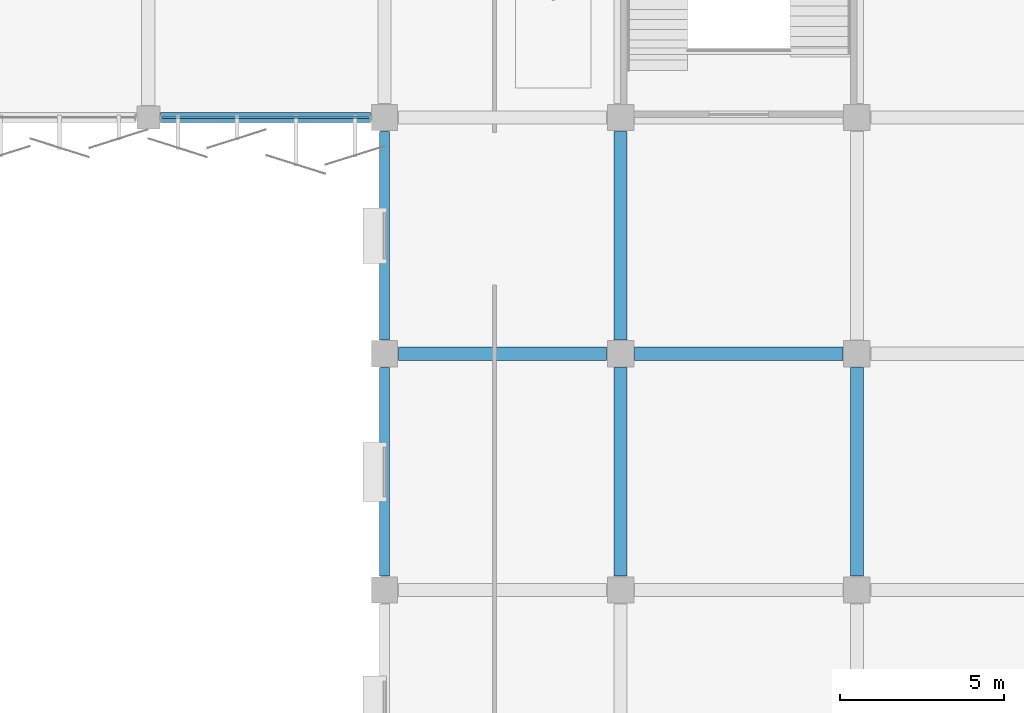
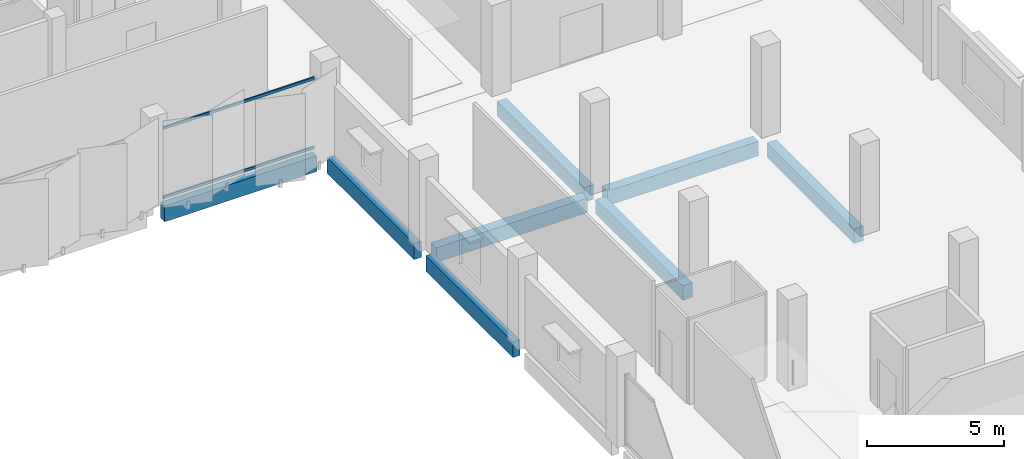
# One storey, part 61 of 107: 8 beams, 2 members, 1 element without a shape of its own.
"""IFC4 building model written with IfcOpenShell, lengths in metres."""

from ifc_helpers import new_model, si_unit, direction, frame, origin, origin_2d, place, context, subcontext, project, spatial, rectangle, hollow_rectangle, extrude, material, layer, layer_set, material_profile, profile_set, type_object, element, aggregate, save


model = new_model("IFC4")

# Units and contexts
model_context = context("Model", 3, precision=1e-05, world=origin(), true_north=direction((0.0, 1.0)))
body_context = subcontext(model_context, "Body", "Model", "MODEL_VIEW")
ifc_project = project(units=[si_unit("LENGTHUNIT", "METRE"), si_unit("AREAUNIT", "SQUARE_METRE"), si_unit("VOLUMEUNIT", "CUBIC_METRE"), si_unit("PLANEANGLEUNIT", "RADIAN"), si_unit("MASSUNIT", "GRAM", prefix="KILO")], contexts=[model_context])

# Site, building, storey
site_placement = place(None, origin())
site = spatial("IfcSite", under=ifc_project, at=site_placement, CompositionType="ELEMENT")
building_placement = place(site_placement, origin())
building = spatial("IfcBuilding", under=site, at=building_placement, Name="Kangsadwip Square Police Headquarters", CompositionType="ELEMENT")
storey_placement = place(building_placement, frame((0.0, 0.0, 5.39990234375)))
storey = spatial("IfcBuildingStorey", under=building, at=storey_placement, Name="L01", CompositionType="ELEMENT", Elevation=5.39990234375)

# Curtain wall, members
ifc_material_1 = material(Name="Thermally broken anodised aluminium AW-6063-T6", Category="aluminium")
ifc_layer = layer(ifc_material_1, 0.159912109375)
ifc_layer_set = layer_set([ifc_layer], Name="Thermally broken anodised aluminium AW-6063-T6")
curtain_wall_type = type_object("IfcCurtainWallType", Name="CourtScreen6460x3200", PredefinedType="USERDEFINED", material=ifc_layer_set)
curtain_wall_placement = place(storey_placement, origin())
curtain_wall = element("IfcCurtainWall", 1, at=curtain_wall_placement, inside=storey, type_object=curtain_wall_type, Name="Curtain Wall CW-L01-1371-0936", ObjectType="GLAZED_SCREEN", PredefinedType="USERDEFINED")
ifc_material_2 = material(Name="Thermally broken anodised aluminium AW-6063-T6", Category="aluminium")
ifc_material_profile_1 = material_profile(ifc_material_2, hollow_rectangle(XDim=0.06005859375, YDim=0.1201171875, WallThickness=0.00390625, at=origin_2d()), Name="CWT 120X60X4")
ifc_profile_set_1 = profile_set([ifc_material_profile_1], Name="Thermally broken anodised aluminium AW-6063-T6")
member_type = type_object("IfcMemberType", Name="CwTransom120x55", PredefinedType="USERDEFINED", material=ifc_profile_set_1)
member_1_placement = place(storey_placement, frame((137.205078125, 93.60009765625, 0.06005859375), z_axis=(1.0, 0.0, 0.0), x_axis=(0.0, 1.0, 0.0)))
member_1 = element("IfcMember", 2, at=member_1_placement, type_object=member_type, Name="CW-16 transom 1.1", ObjectType="TRANSOM", PredefinedType="USERDEFINED", context=body_context, shape_type="SweptSolid", body=[
    extrude(hollow_rectangle(XDim=0.06005859375, YDim=0.1201171875, WallThickness=0.00390625, at=origin_2d()), origin(), (0.0, 0.0, 1.0), 6.33984375),
])
member_2_placement = place(storey_placement, frame((137.205078125, 93.60009765625, 3.14013671875), z_axis=(1.0, 0.0, 0.0), x_axis=(0.0, 1.0, 0.0)))
member_2 = element("IfcMember", 3, at=member_2_placement, type_object=member_type, Name="CW-16 transom 1.2", ObjectType="TRANSOM", PredefinedType="USERDEFINED", context=body_context, shape_type="SweptSolid", body=[
    extrude(hollow_rectangle(XDim=0.06005859375, YDim=0.1201171875, WallThickness=0.00390625, at=origin_2d()), origin(), (0.0, 0.0, 1.0), 6.33984375),
])
aggregate(curtain_wall, [member_1, member_2])

# Beams
ifc_material_3 = material(Name="Concrete M35 (35 MPa)", Category="concrete")
ifc_material_profile_2 = material_profile(ifc_material_3, rectangle(XDim=0.39990234375, YDim=0.64990234375, at=origin_2d()), Name="RC BM 650X400")
ifc_profile_set_2 = profile_set([ifc_material_profile_2], Name="Concrete M35 (35 MPa)")
beam_type_1 = type_object("IfcBeamType", Name="RcBeam650x400", PredefinedType="BEAM", material=ifc_profile_set_2)
beam_1_placement = place(storey_placement, frame((144.425048828125, 86.39990234375, -0.56494140625), z_axis=(1.0, 0.0, 0.0), x_axis=(0.0, 1.0, 0.0)))
element("IfcBeam", 4, at=beam_1_placement, inside=storey, type_object=beam_type_1, Name="Beam BM-L01-X-20-12", PredefinedType="BEAM", context=body_context, shape_type="SweptSolid", body=[
    extrude(rectangle(XDim=0.39990234375, YDim=0.64990234375, at=origin_2d()), origin(), (0.0, 0.0, 1.0), 6.349853515625),
])
for number, where, z_axis, x_axis, name in (
    (5, (151.625, 86.39990234375, -0.56494140625), (1.0, 0.0, 0.0), (0.0, 1.0, 0.0), "Beam BM-L01-X-21-12"),
    (6, (151.199951171875, 79.625, -0.56494140625), (0.0, 1.0, 0.0), (-1.0, 0.0, 0.0), "Beam BM-L01-Y-21-11"),
    (7, (151.199951171875, 86.824951171875, -0.56494140625), (0.0, 1.0, 0.0), (-1.0, 0.0, 0.0), "Beam BM-L01-Y-21-12"),
    (8, (158.39990234375, 79.625, -0.56494140625), (0.0, 1.0, 0.0), (-1.0, 0.0, 0.0), "Beam BM-L01-Y-22-11"),
):
    element("IfcBeam", number, at=place(storey_placement, frame(where, z_axis=z_axis, x_axis=x_axis)), inside=storey, type_object=beam_type_1, Name=name, PredefinedType="BEAM", context=body_context, shape_type="SweptSolid", body=[
        extrude(rectangle(XDim=0.39990234375, YDim=0.64990234375, at=origin_2d()), origin(), (0.0, 0.0, 1.0), 6.35009765625),
    ])
ifc_material_4 = material(Name="Concrete M40 (40 MPa)", Category="concrete")
ifc_material_profile_3 = material_profile(ifc_material_4, rectangle(XDim=0.300048828125, YDim=0.699951171875, at=origin_2d()), Name="RC SPN 700X300")
ifc_profile_set_3 = profile_set([ifc_material_profile_3], Name="Concrete M40 (40 MPa)")
beam_type_2 = type_object("IfcBeamType", Name="RcSpandrel700x300", PredefinedType="SPANDREL", material=ifc_profile_set_3)
beam_2_placement = place(storey_placement, frame((137.175048828125, 93.60009765625, -0.58984375), z_axis=(1.0, 0.0, 0.0), x_axis=(0.0, 1.0, 0.0)))
element("IfcBeam", 9, at=beam_2_placement, inside=storey, type_object=beam_type_2, Name="Beam BM-L01-X-19-13", PredefinedType="SPANDREL", context=body_context, shape_type="SweptSolid", body=[
    extrude(rectangle(XDim=0.300048828125, YDim=0.699951171875, at=origin_2d()), origin(), (0.0, 0.0, 1.0), 6.39990234375),
])
for number, where, z_axis, x_axis, name in (
    (10, (144.0, 79.625, -0.58984375), (0.0, 1.0, 0.0), (-1.0, 0.0, 0.0), "Beam BM-L01-Y-20-11"),
    (11, (144.0, 86.824951171875, -0.58984375), (0.0, 1.0, 0.0), (-1.0, 0.0, 0.0), "Beam BM-L01-Y-20-12"),
):
    element("IfcBeam", number, at=place(storey_placement, frame(where, z_axis=z_axis, x_axis=x_axis)), inside=storey, type_object=beam_type_2, Name=name, PredefinedType="SPANDREL", context=body_context, shape_type="SweptSolid", body=[
        extrude(rectangle(XDim=0.300048828125, YDim=0.699951171875, at=origin_2d()), origin(), (0.0, 0.0, 1.0), 6.35009765625),
    ])

save(model, "model.ifc")
